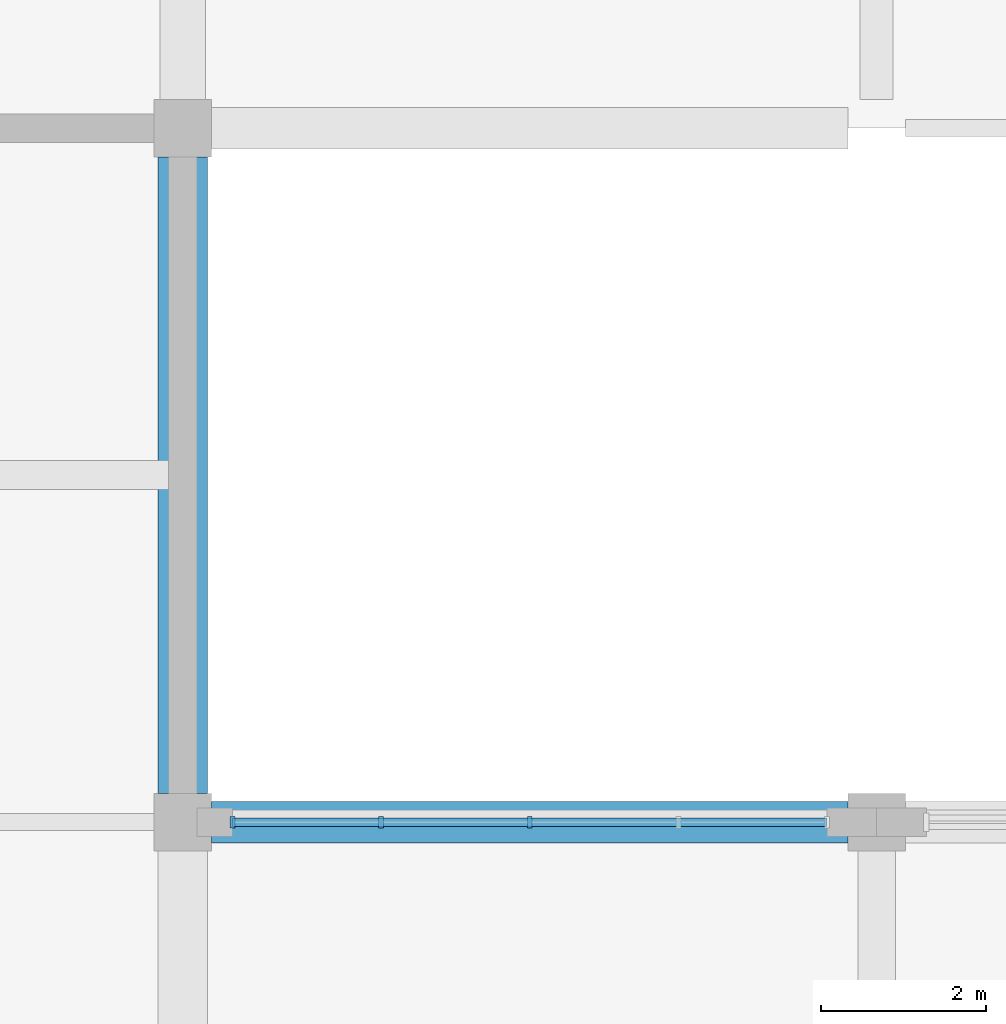
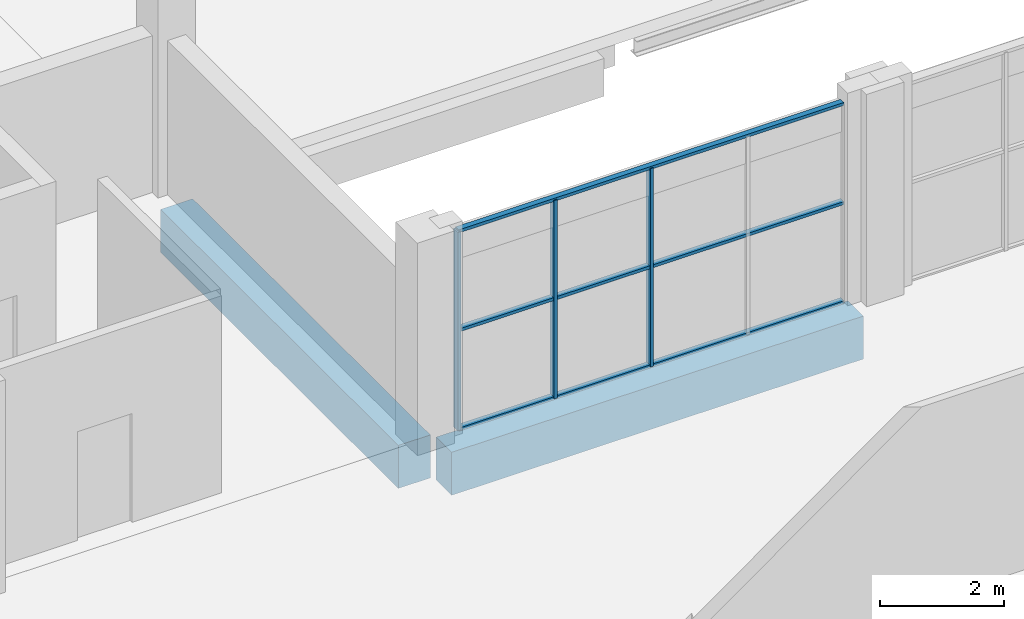
# One storey, part 13 of 64: 6 members, 2 beams, 1 element without a shape of its own.
"""IFC4 building model written with IfcOpenShell, lengths in metres."""

from ifc_helpers import new_model, si_unit, derived_unit, direction, frame, origin, origin_2d, place, context, subcontext, project, spatial, rectangle, extrude, material, material_profile, profile_set, type_object, element, aggregate, save


model = new_model("IFC4")

# Units and contexts
model_context = context("Model", 3, precision=1e-05, world=origin(), true_north=direction((0.0, 1.0)))
body_context = subcontext(model_context, "Body", "Model", "MODEL_VIEW")
ifc_project = project(units=[si_unit("LENGTHUNIT", "METRE"), si_unit("AREAUNIT", "SQUARE_METRE"), si_unit("VOLUMEUNIT", "CUBIC_METRE"), si_unit("PLANEANGLEUNIT", "RADIAN"), si_unit("MASSUNIT", "GRAM", prefix="KILO"), derived_unit("THERMALTRANSMITTANCEUNIT", [(si_unit("POWERUNIT", "WATT"), 1), (si_unit("LENGTHUNIT", "METRE"), -2), (si_unit("THERMODYNAMICTEMPERATUREUNIT", "KELVIN"), -1)])], contexts=[model_context])

# Site, building, storey
site_placement = place(None, origin())
site = spatial("IfcSite", under=ifc_project, at=site_placement, CompositionType="ELEMENT")
building_placement = place(site_placement, origin())
building = spatial("IfcBuilding", under=site, at=building_placement, Name="Barrovel Congress Hotel", CompositionType="ELEMENT")
storey_placement = place(building_placement, frame((0.0, 0.0, 14.10009765625)))
storey = spatial("IfcBuildingStorey", under=building, at=storey_placement, Name="L03", CompositionType="ELEMENT", Elevation=14.10009765625)

# Beams
ifc_material_1 = material(Name="Concrete C40", Category="concrete")
ifc_material_profile_1 = material_profile(ifc_material_1, rectangle(XDim=0.5, YDim=0.85009765625, at=origin_2d()), Name="RC500x850")
ifc_profile_set_1 = profile_set([ifc_material_profile_1], Name="Concrete C40")
beam_type_1 = type_object("IfcBeamType", Name="BM-RC500x850", PredefinedType="BEAM", material=ifc_profile_set_1)
beam_1_placement = place(storey_placement, frame((59.14990234375, 29.39990234375, -0.6650390625), z_axis=(1.0, 0.0, 0.0), x_axis=(0.0, 1.0, 0.0)))
element("IfcBeam", 1, at=beam_1_placement, inside=storey, type_object=beam_type_1, Name="BMX:L03:29.4:58.8-67.2", PredefinedType="BEAM", context=body_context, shape_type="SweptSolid", body=[
    extrude(rectangle(XDim=0.5, YDim=0.85009765625, at=origin_2d()), origin(), (0.0, 0.0, 1.0), 7.7001953125),
])
ifc_material_profile_2 = material_profile(ifc_material_1, rectangle(XDim=0.60009765625, YDim=0.85009765625, at=origin_2d()), Name="RC600x850")
ifc_profile_set_2 = profile_set([ifc_material_profile_2], Name="Concrete C40")
beam_type_2 = type_object("IfcBeamType", Name="BM-RC600x850", PredefinedType="BEAM", material=ifc_profile_set_2)
beam_2_placement = place(storey_placement, frame((58.800048828125, 29.75, -0.6650390625), z_axis=(0.0, 1.0, 0.0), x_axis=(-1.0, 0.0, 0.0)))
element("IfcBeam", 2, at=beam_2_placement, inside=storey, type_object=beam_type_2, Name="BMY:L03:58.8:29.4-37.8", PredefinedType="BEAM", context=body_context, shape_type="SweptSolid", body=[
    extrude(rectangle(XDim=0.60009765625, YDim=0.85009765625, at=origin_2d()), origin(), (0.0, 0.0, 1.0), 7.699951171875),
])

# Curtain wall, members
ifc_material_2 = material(Name="Anodised Aluminium Alloy 6063-T6", Category="aluminium")
curtain_wall_type = type_object("IfcCurtainWallType", Name="CW-ST-7200x3600", PredefinedType="USERDEFINED", material=ifc_material_2)
curtain_wall_placement = place(storey_placement, origin())
curtain_wall = element("IfcCurtainWall", 3, at=curtain_wall_placement, inside=storey, type_object=curtain_wall_type, Name="CW:L03:CS:07", ObjectType="STICK CURTAIN WALL", PredefinedType="USERDEFINED")
ifc_material_profile_3 = material_profile(ifc_material_2, rectangle(XDim=0.06005859375, YDim=0.139892578125, at=origin_2d()), Name="AL-M60x140")
ifc_profile_set_3 = profile_set([ifc_material_profile_3], Name="Anodised Aluminium Alloy 6063-T6")
member_type_1 = type_object("IfcMemberType", Name="CWM-AL-M60x140", PredefinedType="MULLION", material=ifc_profile_set_3)
member_1_placement = place(storey_placement, frame((63.0, 29.39990234375, 0.0), z_axis=(0.0, 0.0, 1.0), x_axis=(1.0, 0.0, 0.0)))
member_1 = element("IfcMember", 4, at=member_1_placement, type_object=member_type_1, Name="CW:L03:CS:07:M2", PredefinedType="MULLION", context=body_context, shape_type="SweptSolid", body=[
    extrude(rectangle(XDim=0.06005859375, YDim=0.139892578125, at=origin_2d()), origin(), (0.0, 0.0, 1.0), 3.919921875),
])
member_2_placement = place(storey_placement, frame((61.199951171875, 29.39990234375, 0.0), z_axis=(0.0, 0.0, 1.0), x_axis=(1.0, 0.0, 0.0)))
member_2 = element("IfcMember", 5, at=member_2_placement, type_object=member_type_1, Name="CW:L03:CS:07:M3", PredefinedType="MULLION", context=body_context, shape_type="SweptSolid", body=[
    extrude(rectangle(XDim=0.06005859375, YDim=0.139892578125, at=origin_2d()), origin(), (0.0, 0.0, 1.0), 3.919921875),
])
member_3_placement = place(storey_placement, frame((59.39990234375, 29.39990234375, 0.0), z_axis=(0.0, 0.0, 1.0), x_axis=(1.0, 0.0, 0.0)))
member_3 = element("IfcMember", 6, at=member_3_placement, type_object=member_type_1, Name="CW:L03:CS:07:M4", PredefinedType="MULLION", context=body_context, shape_type="SweptSolid", body=[
    extrude(rectangle(XDim=0.06005859375, YDim=0.139892578125, at=origin_2d()), origin(), (0.0, 0.0, 1.0), 3.919921875),
])
ifc_material_profile_4 = material_profile(ifc_material_2, rectangle(XDim=0.10498046875, YDim=0.06005859375, at=origin_2d()), Name="AL-T60x105")
ifc_profile_set_4 = profile_set([ifc_material_profile_4], Name="Anodised Aluminium Alloy 6063-T6")
member_type_2 = type_object("IfcMemberType", Name="CWT-AL-T60x105", PredefinedType="USERDEFINED", material=ifc_profile_set_4)
member_4_placement = place(storey_placement, frame((66.60009765625, 29.39990234375, 0.0), z_axis=(-1.0, 0.0, 0.0), x_axis=(0.0, -1.0, 0.0)))
member_4 = element("IfcMember", 7, at=member_4_placement, type_object=member_type_2, Name="CW:L03:CS:07:T0", ObjectType="TRANSOM", PredefinedType="USERDEFINED", context=body_context, shape_type="SweptSolid", body=[
    extrude(rectangle(XDim=0.10498046875, YDim=0.06005859375, at=origin_2d()), origin(), (0.0, 0.0, 1.0), 7.2001953125),
])
member_5_placement = place(storey_placement, frame((66.60009765625, 29.39990234375, 1.9599609375), z_axis=(-1.0, 0.0, 0.0), x_axis=(0.0, -1.0, 0.0)))
member_5 = element("IfcMember", 8, at=member_5_placement, type_object=member_type_2, Name="CW:L03:CS:07:T1", ObjectType="TRANSOM", PredefinedType="USERDEFINED", context=body_context, shape_type="SweptSolid", body=[
    extrude(rectangle(XDim=0.10498046875, YDim=0.06005859375, at=origin_2d()), origin(), (0.0, 0.0, 1.0), 7.2001953125),
])
member_6_placement = place(storey_placement, frame((66.60009765625, 29.39990234375, 3.919921875), z_axis=(-1.0, 0.0, 0.0), x_axis=(0.0, -1.0, 0.0)))
member_6 = element("IfcMember", 9, at=member_6_placement, type_object=member_type_2, Name="CW:L03:CS:07:T2", ObjectType="TRANSOM", PredefinedType="USERDEFINED", context=body_context, shape_type="SweptSolid", body=[
    extrude(rectangle(XDim=0.10498046875, YDim=0.06005859375, at=origin_2d()), origin(), (0.0, 0.0, 1.0), 7.2001953125),
])
aggregate(curtain_wall, [member_1, member_2, member_3, member_4, member_5, member_6])

save(model, "model.ifc")
